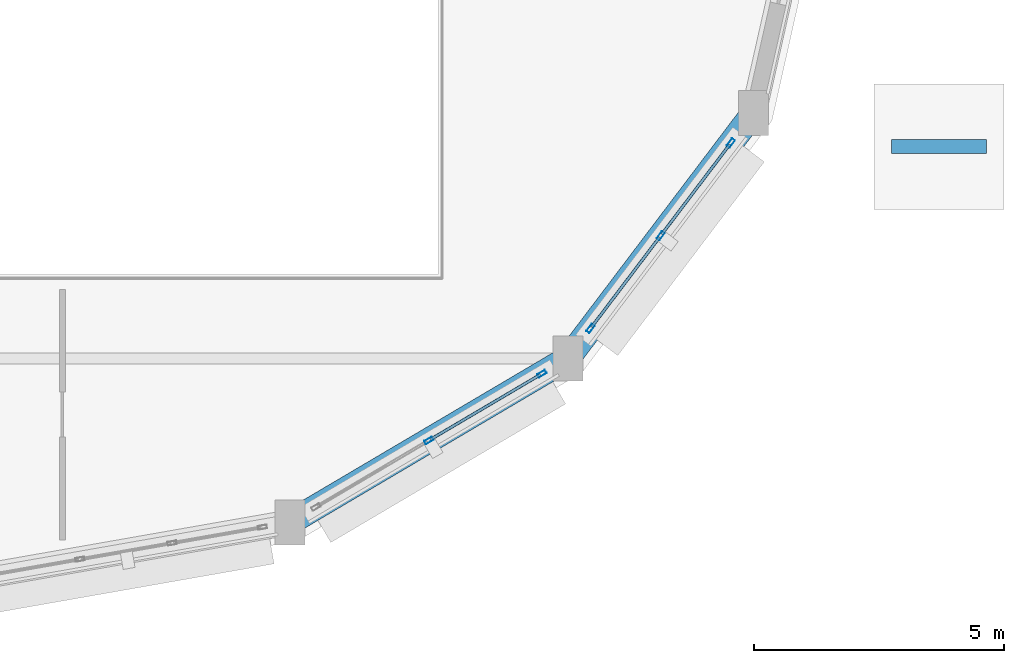
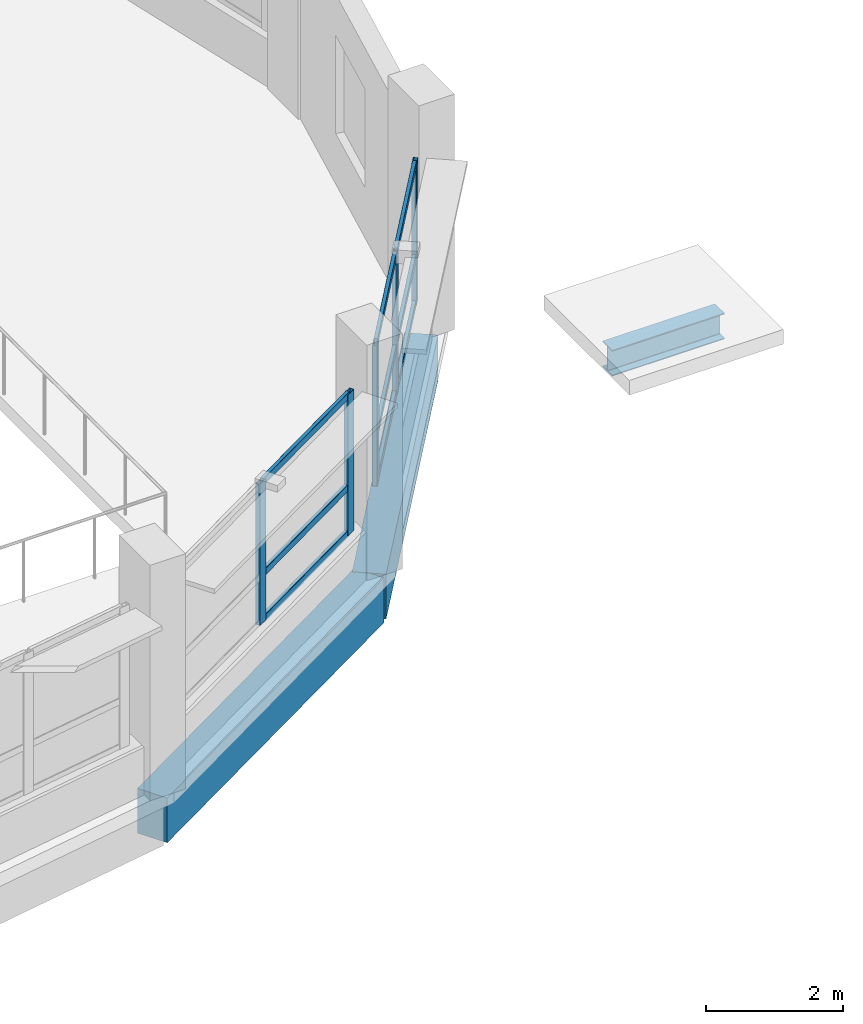
# One storey, part 95 of 128: 14 members, 3 beams, 2 elements without a shape of their own.
"""IFC4 building model written with IfcOpenShell, lengths in metres."""

from ifc_helpers import new_model, si_unit, direction, frame, origin, origin_2d, place, context, subcontext, project, spatial, rectangle, hollow_rectangle, i_section, extrude, material, layer, layer_set, material_profile, profile_set, type_object, element, aggregate, save


model = new_model("IFC4")

# Units and contexts
model_context = context("Model", 3, precision=1e-05, world=origin(), true_north=direction((0.0, 1.0)))
body_context = subcontext(model_context, "Body", "Model", "MODEL_VIEW")
ifc_project = project(units=[si_unit("LENGTHUNIT", "METRE"), si_unit("AREAUNIT", "SQUARE_METRE"), si_unit("VOLUMEUNIT", "CUBIC_METRE"), si_unit("PLANEANGLEUNIT", "RADIAN"), si_unit("MASSUNIT", "GRAM", prefix="KILO")], contexts=[model_context])

# Site, building, storey
site_placement = place(None, origin())
site = spatial("IfcSite", under=ifc_project, at=site_placement, CompositionType="ELEMENT")
building_placement = place(site_placement, origin())
building = spatial("IfcBuilding", under=site, at=building_placement, Name="Vespera Passage Community Centre", CompositionType="ELEMENT")
storey_placement = place(building_placement, frame((0.0, 0.0, 4.5)))
storey = spatial("IfcBuildingStorey", under=building, at=storey_placement, Name="L01", CompositionType="ELEMENT", Elevation=4.5)

# Beams
ifc_material_1 = material(Name="Steel ASTM A992 Grade 50", Category="steel")
ifc_material_profile_1 = material_profile(ifc_material_1, i_section(OverallWidth=0.280517578125, OverallDepth=0.46240234375, WebThickness=0.0107421875, FlangeThickness=0.017333984375, FilletRadius=0.01025390625, at=origin_2d()), Name="W18X76")
ifc_profile_set_1 = profile_set([ifc_material_profile_1], Name="Steel ASTM A992 Grade 50")
beam_type_1 = type_object("IfcBeamType", Name="BM-RB-W18X76E", PredefinedType="SPANDREL", material=ifc_profile_set_1)
beam_1_placement = place(storey_placement, frame((161.550048828125, 83.050048828125, -1.2412109375), z_axis=(1.0, 0.0, 0.0), x_axis=(0.0, 1.0, 0.0)))
element("IfcBeam", 1, at=beam_1_placement, inside=storey, type_object=beam_type_1, Name="Bridge Pier Cap 6", PredefinedType="SPANDREL", context=body_context, shape_type="SweptSolid", body=[
    extrude(i_section(OverallWidth=0.280517578125, OverallDepth=0.46240234375, WebThickness=0.0107421875, FlangeThickness=0.017333984375, FilletRadius=0.01025390625, at=origin_2d()), origin(), (0.0, 0.0, 1.0), 1.89990234375),
])
ifc_material_2 = material(Name="Concrete f'c 35 MPa", Category="concrete")
ifc_material_profile_2 = material_profile(ifc_material_2, rectangle(XDim=0.5, YDim=0.800048828125, at=origin_2d()), Name="RC500X800")
ifc_profile_set_2 = profile_set([ifc_material_profile_2], Name="Concrete f'c 35 MPa")
beam_type_2 = type_object("IfcBeamType", Name="BM-SP-500X800E", PredefinedType="SPANDREL", material=ifc_profile_set_2)
beam_2_placement = place(storey_placement, frame((149.5439453125, 75.54931640625, -0.639892578125), z_axis=(0.861245535965, 0.508189065978, 0.0), x_axis=(-0.508189065978, 0.861245535965, 0.0)))
element("IfcBeam", 2, at=beam_2_placement, inside=storey, type_object=beam_type_2, Name="V2 L01 Perimeter Spandrel 14", PredefinedType="SPANDREL", context=body_context, shape_type="SweptSolid", body=[
    extrude(rectangle(XDim=0.5, YDim=0.800048828125, at=origin_2d()), origin(), (0.0, 0.0, 1.0), 6.44140625),
])
beam_3_placement = place(storey_placement, frame((155.091552734375, 78.82275390625, -0.639892578125), z_axis=(0.603409203322, 0.797431710773, 0.0), x_axis=(-0.797431710773, 0.603409203322, 0.0)))
element("IfcBeam", 3, at=beam_3_placement, inside=storey, type_object=beam_type_2, Name="V2 L01 Perimeter Spandrel 15", PredefinedType="SPANDREL", context=body_context, shape_type="SweptSolid", body=[
    extrude(rectangle(XDim=0.5, YDim=0.800048828125, at=origin_2d()), origin(), (0.0, 0.0, 1.0), 6.14306640625),
])

# Curtain wall, members
ifc_material_3 = material(Name="Anodized aluminium 6063-T6", Category="aluminium")
ifc_layer_1 = layer(ifc_material_3, 0.159912109375)
ifc_layer_set_1 = layer_set([ifc_layer_1], Name="Anodized aluminium 6063-T6")
curtain_wall_type_1 = type_object("IfcCurtainWallType", Name="CW-94E", PredefinedType="NOTDEFINED", material=ifc_layer_set_1)
curtain_wall_1_placement = place(storey_placement, origin())
curtain_wall_1 = element("IfcCurtainWall", 4, at=curtain_wall_1_placement, inside=storey, type_object=curtain_wall_type_1, Name="Sports Drum Ribbon Curtain Wall L01.14", PredefinedType="NOTDEFINED")
ifc_material_4 = material(Name="Anodized aluminium 6063-T6", Category="aluminium")
ifc_material_profile_3 = material_profile(ifc_material_4, hollow_rectangle(XDim=0.074951171875, YDim=0.179931640625, WallThickness=0.0048828125, InnerFilletRadius=0.00244140625, OuterFilletRadius=0.0048828125, at=origin_2d()), Name="ALU180X75X5")
ifc_profile_set_3 = profile_set([ifc_material_profile_3], Name="Anodized aluminium 6063-T6")
member_type_1 = type_object("IfcMemberType", Name="MB-CWM-180E", PredefinedType="MULLION", material=ifc_profile_set_3)
member_1_placement = place(storey_placement, frame((154.573974609375, 78.517333984375, 0.85009765625), z_axis=(0.0, 0.0, 1.0), x_axis=(0.50817007737, -0.861256740157, 0.0)))
member_1 = element("IfcMember", 5, at=member_1_placement, type_object=member_type_1, Name="CW-94E mullion 1", PredefinedType="MULLION", context=body_context, shape_type="SweptSolid", body=[
    extrude(hollow_rectangle(XDim=0.074951171875, YDim=0.179931640625, WallThickness=0.0048828125, InnerFilletRadius=0.00244140625, OuterFilletRadius=0.0048828125, at=origin_2d()), origin(), (0.0, 0.0, 1.0), 2.514892578125),
])
member_2_placement = place(storey_placement, frame((152.317626953125, 77.18603515625, 0.85009765625), z_axis=(0.0, 0.0, 1.0), x_axis=(0.50817007737, -0.861256740157, 0.0)))
member_2 = element("IfcMember", 6, at=member_2_placement, type_object=member_type_1, Name="CW-94E mullion 2", PredefinedType="MULLION", context=body_context, shape_type="SweptSolid", body=[
    extrude(hollow_rectangle(XDim=0.074951171875, YDim=0.179931640625, WallThickness=0.0048828125, InnerFilletRadius=0.00244140625, OuterFilletRadius=0.0048828125, at=origin_2d()), origin(), (0.0, 0.0, 1.0), 2.514892578125),
])

ifc_material_5 = material(Name="Anodized aluminium 6063-T6", Category="aluminium")
ifc_layer_2 = layer(ifc_material_5, 0.159912109375)
ifc_layer_set_2 = layer_set([ifc_layer_2], Name="Anodized aluminium 6063-T6")
curtain_wall_type_2 = type_object("IfcCurtainWallType", Name="CW-96E", PredefinedType="NOTDEFINED", material=ifc_layer_set_2)
curtain_wall_2_placement = place(storey_placement, origin())
curtain_wall_2 = element("IfcCurtainWall", 7, at=curtain_wall_2_placement, inside=storey, type_object=curtain_wall_type_2, Name="Sports Drum Ribbon Curtain Wall L01.15", PredefinedType="NOTDEFINED")
member_3_placement = place(storey_placement, frame((158.345947265625, 83.123779296875, 0.85009765625), z_axis=(0.0, 0.0, 1.0), x_axis=(0.797434495654, -0.603405522961, 0.0)))
member_3 = element("IfcMember", 8, at=member_3_placement, type_object=member_type_1, Name="CW-96E mullion 1", PredefinedType="MULLION", context=body_context, shape_type="SweptSolid", body=[
    extrude(hollow_rectangle(XDim=0.074951171875, YDim=0.179931640625, WallThickness=0.0048828125, InnerFilletRadius=0.00244140625, OuterFilletRadius=0.0048828125, at=origin_2d()), origin(), (0.0, 0.0, 1.0), 2.514892578125),
])
member_4_placement = place(storey_placement, frame((156.94482421875, 81.272216796875, 0.85009765625), z_axis=(0.0, 0.0, 1.0), x_axis=(0.797434495654, -0.603405522961, 0.0)))
member_4 = element("IfcMember", 9, at=member_4_placement, type_object=member_type_1, Name="CW-96E mullion 2", PredefinedType="MULLION", context=body_context, shape_type="SweptSolid", body=[
    extrude(hollow_rectangle(XDim=0.074951171875, YDim=0.179931640625, WallThickness=0.0048828125, InnerFilletRadius=0.00244140625, OuterFilletRadius=0.0048828125, at=origin_2d()), origin(), (0.0, 0.0, 1.0), 2.514892578125),
])
member_5_placement = place(storey_placement, frame((155.5439453125, 79.42041015625, 0.85009765625), z_axis=(0.0, 0.0, 1.0), x_axis=(0.797434495654, -0.603405522961, 0.0)))
member_5 = element("IfcMember", 10, at=member_5_placement, type_object=member_type_1, Name="CW-96E mullion 3", PredefinedType="MULLION", context=body_context, shape_type="SweptSolid", body=[
    extrude(hollow_rectangle(XDim=0.074951171875, YDim=0.179931640625, WallThickness=0.0048828125, InnerFilletRadius=0.00244140625, OuterFilletRadius=0.0048828125, at=origin_2d()), origin(), (0.0, 0.0, 1.0), 2.514892578125),
])

# Member
ifc_material_6 = material(Name="Anodized aluminium 6063-T6", Category="aluminium")
ifc_material_profile_4 = material_profile(ifc_material_6, hollow_rectangle(XDim=0.06005859375, YDim=0.1201171875, WallThickness=0.00390625, InnerFilletRadius=0.001953125, OuterFilletRadius=0.00390625, at=origin_2d()), Name="ALU120X60X4")
ifc_profile_set_4 = profile_set([ifc_material_profile_4], Name="Anodized aluminium 6063-T6")
member_type_2 = type_object("IfcMemberType", Name="MB-CWT-120E", PredefinedType="USERDEFINED", material=ifc_profile_set_4)
member_6_placement = place(storey_placement, frame((154.541748046875, 78.498291015625, 0.8798828125), z_axis=(-0.861245323455, -0.508189426127, 0.0), x_axis=(0.508189426127, -0.861245323455, 0.0)))
member_6 = element("IfcMember", 11, at=member_6_placement, type_object=member_type_2, Name="CW-94E transom 1.1", ObjectType="TRANSOM", PredefinedType="USERDEFINED", context=body_context, shape_type="SweptSolid", body=[
    extrude(hollow_rectangle(XDim=0.06005859375, YDim=0.1201171875, WallThickness=0.00390625, InnerFilletRadius=0.001953125, OuterFilletRadius=0.00390625, at=origin_2d()), origin(), (0.0, 0.0, 1.0), 2.544677734375),
])

member_7_placement = place(storey_placement, frame((154.541748046875, 78.498291015625, 1.699951171875), z_axis=(-0.861245323455, -0.508189426127, 0.0), x_axis=(0.508189426127, -0.861245323455, 0.0)))
member_7 = element("IfcMember", 12, at=member_7_placement, type_object=member_type_2, Name="CW-94E transom 1.2", ObjectType="TRANSOM", PredefinedType="USERDEFINED", context=body_context, shape_type="SweptSolid", body=[
    extrude(hollow_rectangle(XDim=0.06005859375, YDim=0.1201171875, WallThickness=0.00390625, InnerFilletRadius=0.001953125, OuterFilletRadius=0.00390625, at=origin_2d()), origin(), (0.0, 0.0, 1.0), 2.544677734375),
])

member_8_placement = place(storey_placement, frame((154.541748046875, 78.498291015625, 3.3349609375), z_axis=(-0.861245323455, -0.508189426127, 0.0), x_axis=(0.508189426127, -0.861245323455, 0.0)))
member_8 = element("IfcMember", 13, at=member_8_placement, type_object=member_type_2, Name="CW-94E transom 1.3", ObjectType="TRANSOM", PredefinedType="USERDEFINED", context=body_context, shape_type="SweptSolid", body=[
    extrude(hollow_rectangle(XDim=0.06005859375, YDim=0.1201171875, WallThickness=0.00390625, InnerFilletRadius=0.001953125, OuterFilletRadius=0.00390625, at=origin_2d()), origin(), (0.0, 0.0, 1.0), 2.544677734375),
])

aggregate(curtain_wall_1, [member_1, member_2, member_6, member_7, member_8])

member_9_placement = place(storey_placement, frame((158.3232421875, 83.09375, 0.8798828125), z_axis=(-0.603384780926, -0.797450190386, 0.0), x_axis=(0.797450190386, -0.603384780926, 0.0)))
member_9 = element("IfcMember", 14, at=member_9_placement, type_object=member_type_2, Name="CW-96E transom 1.1", ObjectType="TRANSOM", PredefinedType="USERDEFINED", context=body_context, shape_type="SweptSolid", body=[
    extrude(hollow_rectangle(XDim=0.06005859375, YDim=0.1201171875, WallThickness=0.00390625, InnerFilletRadius=0.001953125, OuterFilletRadius=0.00390625, at=origin_2d()), origin(), (0.0, 0.0, 1.0), 2.246826171875),
])

member_10_placement = place(storey_placement, frame((158.3232421875, 83.09375, 1.699951171875), z_axis=(-0.603384780926, -0.797450190386, 0.0), x_axis=(0.797450190386, -0.603384780926, 0.0)))
member_10 = element("IfcMember", 15, at=member_10_placement, type_object=member_type_2, Name="CW-96E transom 1.2", ObjectType="TRANSOM", PredefinedType="USERDEFINED", context=body_context, shape_type="SweptSolid", body=[
    extrude(hollow_rectangle(XDim=0.06005859375, YDim=0.1201171875, WallThickness=0.00390625, InnerFilletRadius=0.001953125, OuterFilletRadius=0.00390625, at=origin_2d()), origin(), (0.0, 0.0, 1.0), 2.246826171875),
])

member_11_placement = place(storey_placement, frame((158.3232421875, 83.09375, 3.3349609375), z_axis=(-0.603384780926, -0.797450190386, 0.0), x_axis=(0.797450190386, -0.603384780926, 0.0)))
member_11 = element("IfcMember", 16, at=member_11_placement, type_object=member_type_2, Name="CW-96E transom 1.3", ObjectType="TRANSOM", PredefinedType="USERDEFINED", context=body_context, shape_type="SweptSolid", body=[
    extrude(hollow_rectangle(XDim=0.06005859375, YDim=0.1201171875, WallThickness=0.00390625, InnerFilletRadius=0.001953125, OuterFilletRadius=0.00390625, at=origin_2d()), origin(), (0.0, 0.0, 1.0), 2.246826171875),
])

member_12_placement = place(storey_placement, frame((156.92236328125, 81.2421875, 0.8798828125), z_axis=(-0.603453873456, -0.797397907328, 0.0), x_axis=(0.797397907328, -0.603453873456, 0.0)))
member_12 = element("IfcMember", 17, at=member_12_placement, type_object=member_type_2, Name="CW-96E transom 2.1", ObjectType="TRANSOM", PredefinedType="USERDEFINED", context=body_context, shape_type="SweptSolid", body=[
    extrude(hollow_rectangle(XDim=0.06005859375, YDim=0.1201171875, WallThickness=0.00390625, InnerFilletRadius=0.001953125, OuterFilletRadius=0.00390625, at=origin_2d()), origin(), (0.0, 0.0, 1.0), 2.2470703125),
])

member_13_placement = place(storey_placement, frame((156.92236328125, 81.2421875, 1.699951171875), z_axis=(-0.603453873456, -0.797397907328, 0.0), x_axis=(0.797397907328, -0.603453873456, 0.0)))
member_13 = element("IfcMember", 18, at=member_13_placement, type_object=member_type_2, Name="CW-96E transom 2.2", ObjectType="TRANSOM", PredefinedType="USERDEFINED", context=body_context, shape_type="SweptSolid", body=[
    extrude(hollow_rectangle(XDim=0.06005859375, YDim=0.1201171875, WallThickness=0.00390625, InnerFilletRadius=0.001953125, OuterFilletRadius=0.00390625, at=origin_2d()), origin(), (0.0, 0.0, 1.0), 2.2470703125),
])

member_14_placement = place(storey_placement, frame((156.92236328125, 81.2421875, 3.3349609375), z_axis=(-0.603453873456, -0.797397907328, 0.0), x_axis=(0.797397907328, -0.603453873456, 0.0)))
member_14 = element("IfcMember", 19, at=member_14_placement, type_object=member_type_2, Name="CW-96E transom 2.3", ObjectType="TRANSOM", PredefinedType="USERDEFINED", context=body_context, shape_type="SweptSolid", body=[
    extrude(hollow_rectangle(XDim=0.06005859375, YDim=0.1201171875, WallThickness=0.00390625, InnerFilletRadius=0.001953125, OuterFilletRadius=0.00390625, at=origin_2d()), origin(), (0.0, 0.0, 1.0), 2.2470703125),
])

aggregate(curtain_wall_2, [member_3, member_4, member_5, member_9, member_10, member_11, member_12, member_13, member_14])

save(model, "model.ifc")
